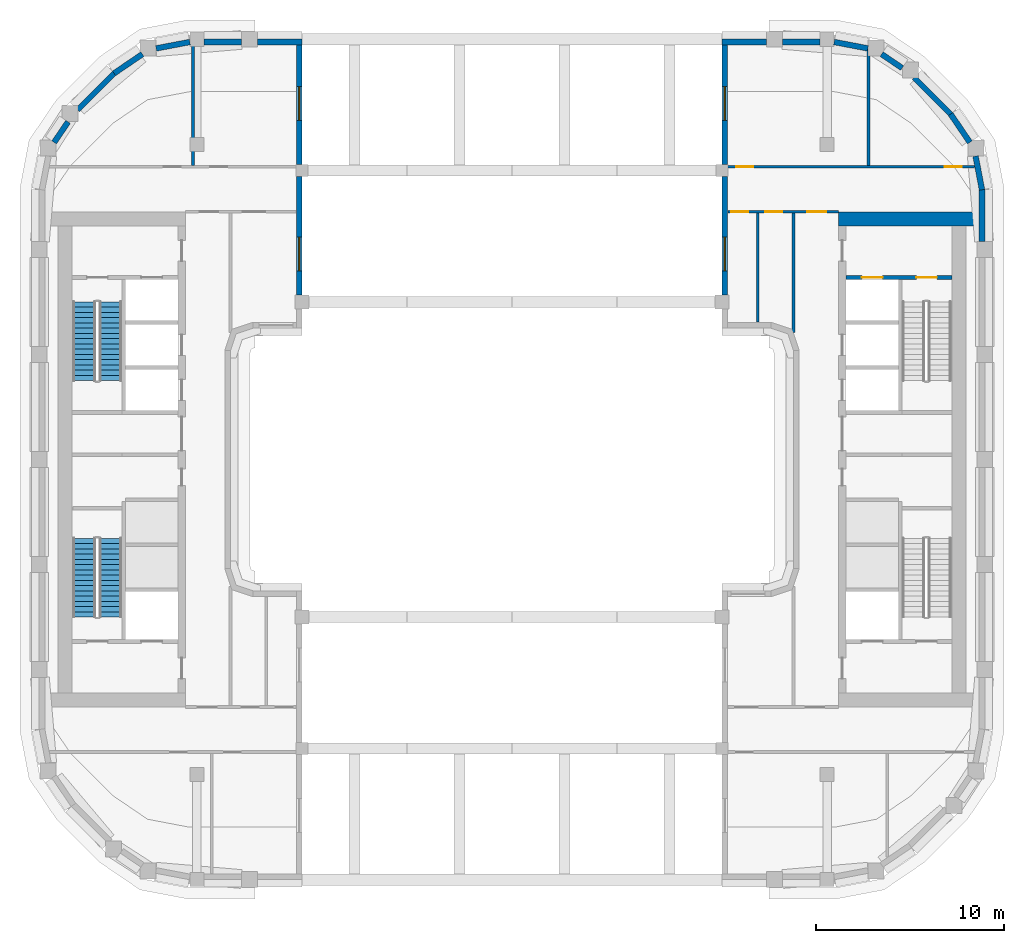
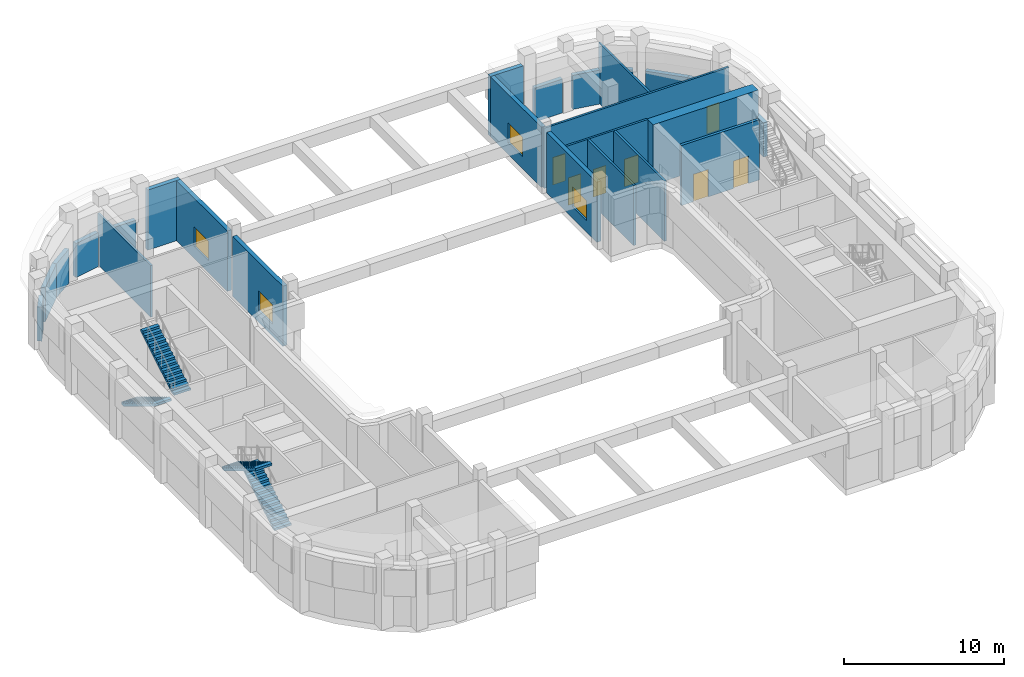
# One storey, part 5 of 13: 26 walls, 7 doors, 4 stair flights, 4 windows, 11 openings, 2 elements without a shape of their own.
"""IFC4 building model written with IfcOpenShell, lengths in metres."""

from ifc_helpers import new_model, si_unit, direction, frame, frame_2d, origin, place, context, subcontext, project, spatial, polyline, rectangle, outline, extrude, material, layer, layer_set, type_object, element, fill, aggregate, save


model = new_model("IFC4")

# Units and contexts
model_context = context("Model", 3, precision=1e-05, world=origin(), true_north=direction((0.0, 1.0)))
body_context = subcontext(model_context, "Body", "Model", "MODEL_VIEW")
ifc_project = project(units=[si_unit("LENGTHUNIT", "METRE"), si_unit("AREAUNIT", "SQUARE_METRE"), si_unit("VOLUMEUNIT", "CUBIC_METRE"), si_unit("PLANEANGLEUNIT", "RADIAN"), si_unit("MASSUNIT", "GRAM", prefix="KILO")], contexts=[model_context])

# Site, building, storey
site_placement = place(None, origin())
site = spatial("IfcSite", under=ifc_project, at=site_placement, CompositionType="ELEMENT")
building_placement = place(site_placement, origin())
building = spatial("IfcBuilding", under=site, at=building_placement, Name="Kiln Ring Residences", CompositionType="ELEMENT")
storey_placement = place(building_placement, frame((0.0, 0.0, 236.300048828125)))
storey = spatial("IfcBuildingStorey", under=building, at=storey_placement, Name="L61", CompositionType="ELEMENT", Elevation=236.300048828125)

# Wall, openings, doors
ifc_material_1 = material(Name="Concrete C40/50", Category="concrete")
ifc_layer_1 = layer(ifc_material_1, 0.199951171875)
ifc_layer_set_1 = layer_set([ifc_layer_1], Name="CORE-WALL-RC200")
wall_type_1 = type_object("IfcWallType", Name="CORE-WALL-RC200", PredefinedType="SHEAR", material=ifc_layer_set_1)
wall_1_placement = place(storey_placement, frame((17.800048828125, 9.699951171875, 0.0), z_axis=(0.0, 0.0, 1.0), x_axis=(1.0, 0.0, 0.0)))
wall_1 = element("IfcWall", 1, at=wall_1_placement, inside=storey, type_object=wall_type_1, Name="Core wall east L61 9", PredefinedType="SHEAR", context=body_context, shape_type="SweptSolid", body=[
    extrude(rectangle(XDim=5.64990234375, YDim=0.199951171875, at=frame_2d((2.824951171875, 0.0))), origin(), (0.0, 0.0, 1.0), 4.599853515625),
])
opening_1_placement = place(wall_1_placement, frame((0.85009765625, 0.0, 0.0)))
opening_1 = element("IfcOpeningElement", 2, at=opening_1_placement, cuts=wall_1, Name="Opening L61-CE05", PredefinedType="OPENING", context=body_context, shape_type="SweptSolid", body=[
    extrude(rectangle(XDim=1.10009765625, YDim=2.10009765625, at=frame_2d((0.550048828125, 1.050048828125))), frame((0.0, 0.10986328125, 0.0), z_axis=(0.0, -1.0, 0.0), x_axis=(1.0, 0.0, 0.0)), (0.0, 0.0, 1.0), 0.219970703125),
])
opening_2_placement = place(wall_1_placement, frame((3.75, 0.0, 0.0)))
opening_2 = element("IfcOpeningElement", 3, at=opening_2_placement, cuts=wall_1, Name="Opening L61-CE08", PredefinedType="OPENING", context=body_context, shape_type="SweptSolid", body=[
    extrude(rectangle(XDim=1.10009765625, YDim=2.10009765625, at=frame_2d((0.550048828125, 1.050048828125))), frame((0.0, 0.10986328125, 0.0), z_axis=(0.0, -1.0, 0.0), x_axis=(1.0, 0.0, 0.0)), (0.0, 0.0, 1.0), 0.219970703125),
])
ifc_material_2 = material(Name="Steel door leaf", Category="steel")
door_type_1 = type_object("IfcDoorType", Name="CORE-DOOR-LD", OperationType="DOUBLE_DOOR_SLIDING", PredefinedType="DOOR", material=ifc_material_2)
door_1_placement = place(opening_1_placement, origin())
door_1 = element("IfcDoor", 4, at=door_1_placement, inside=storey, type_object=door_type_1, Name="LD E-FF L61-CE05", OperationType="DOUBLE_DOOR_SLIDING", OverallHeight=2.10009765625, OverallWidth=1.10009765625, PredefinedType="DOOR", context=body_context, shape_type="SweptSolid", body=[
    extrude(rectangle(XDim=1.10009765625, YDim=2.10009765625, at=frame_2d((0.550048828125, 1.050048828125))), frame((0.0, 0.02490234375, 0.0), z_axis=(0.0, -1.0, 0.0), x_axis=(1.0, 0.0, 0.0)), (0.0, 0.0, 1.0), 0.050048828125),
])
fill(opening_1, door_1)
ifc_material_3 = material(Name="Steel door leaf", Category="steel")
door_type_2 = type_object("IfcDoorType", Name="CORE-DOOR-STAIR", OperationType="SINGLE_SWING_LEFT", PredefinedType="DOOR", material=ifc_material_3)
door_2_placement = place(opening_2_placement, origin())
door_2 = element("IfcDoor", 5, at=door_2_placement, inside=storey, type_object=door_type_2, Name="Stair E-STN L61-CE08", OperationType="SINGLE_SWING_LEFT", OverallHeight=2.10009765625, OverallWidth=1.10009765625, PredefinedType="DOOR", context=body_context, shape_type="SweptSolid", body=[
    extrude(rectangle(XDim=1.10009765625, YDim=2.10009765625, at=frame_2d((0.550048828125, 1.050048828125))), frame((0.0, 0.02490234375, 0.0), z_axis=(0.0, -1.0, 0.0), x_axis=(1.0, 0.0, 0.0)), (0.0, 0.0, 1.0), 0.050048828125),
])
fill(opening_2, door_2)

# Wall
ifc_material_4 = material(Name="Concrete C60/75", Category="concrete")
ifc_layer_2 = layer(ifc_material_4, 0.75)
ifc_layer_set_2 = layer_set([ifc_layer_2], Name="CORE-WALL-RC750")
wall_type_2 = type_object("IfcWallType", Name="CORE-WALL-RC750", PredefinedType="SHEAR", material=ifc_layer_set_2)
wall_2_placement = place(storey_placement, frame((17.39990234375, 12.824951171875, 0.0), z_axis=(0.0, 0.0, 1.0), x_axis=(1.0, 0.0, 0.0)))
element("IfcWall", 6, at=wall_2_placement, inside=storey, type_object=wall_type_2, Name="Core wall east L61 4", PredefinedType="SHEAR", context=body_context, shape_type="SweptSolid", body=[
    extrude(rectangle(XDim=7.60009765625, YDim=0.75, at=frame_2d((3.800048828125, 0.0))), origin(), (0.0, 0.0, 1.0), 4.599853515625),
])

# Wall, opening, window
ifc_material_5 = material(Name="Brick masonry, dark clay brick", Category="masonry")
ifc_layer_3 = layer(ifc_material_5, 0.300048828125)
ifc_layer_set_3 = layer_set([ifc_layer_3], Name="EW-300 BRICK WALL")
wall_type_3 = type_object("IfcWallType", Name="EW-300 BRICK WALL", PredefinedType="SOLIDWALL", material=ifc_layer_set_3)
wall_3_placement = place(storey_placement, frame((-11.35009765625, 8.77490234375, 0.0), z_axis=(0.0, 0.0, 1.0), x_axis=(0.0, 1.0, 0.0)))
wall_3 = element("IfcWall", 7, at=wall_3_placement, inside=storey, type_object=wall_type_3, Name="Facade wall L61 15", PredefinedType="SOLIDWALL", context=body_context, shape_type="SweptSolid", body=[
    extrude(rectangle(XDim=6.300048828125, YDim=0.300048828125, at=frame_2d((3.14990234375, 0.0))), origin(), (0.0, 0.0, 1.0), 4.599853515625),
])
opening_3_placement = place(wall_3_placement, frame((1.27490234375, 0.0, 0.89990234375)))
opening_3 = element("IfcOpeningElement", 8, at=opening_3_placement, cuts=wall_3, Name="Opening LV1", PredefinedType="OPENING", context=body_context, shape_type="SweptSolid", body=[
    extrude(rectangle(XDim=1.800048828125, YDim=1.5, at=frame_2d((0.89990234375, 0.75))), frame((0.0, 0.159912109375, 0.0), z_axis=(0.0, -1.0, 0.0), x_axis=(1.0, 0.0, 0.0)), (0.0, 0.0, 1.0), 0.320068359375),
])
ifc_material_6 = material(Name="Aluminium louvre", Category="aluminium")
window_type = type_object("IfcWindowType", Name="LOUVRED VENT 1800 x 1500", PartitioningType="SINGLE_PANEL", PredefinedType="WINDOW", material=ifc_material_6)
window_1_placement = place(opening_3_placement, origin())
window_1 = element("IfcWindow", 9, at=window_1_placement, inside=storey, type_object=window_type, Name="Louvred vent L61 4", OverallHeight=1.5, OverallWidth=1.800048828125, PartitioningType="SINGLE_PANEL", PredefinedType="WINDOW", context=body_context, shape_type="SweptSolid", body=[
    extrude(rectangle(XDim=1.800048828125, YDim=1.5, at=frame_2d((0.89990234375, 0.75))), frame((0.0, 0.030029296875, 0.0), z_axis=(0.0, -1.0, 0.0), x_axis=(1.0, 0.0, 0.0)), (0.0, 0.0, 1.0), 0.06005859375),
])
fill(opening_3, window_1)

wall_4_placement = place(storey_placement, frame((-11.35009765625, 15.72509765625, 0.0), z_axis=(0.0, 0.0, 1.0), x_axis=(0.0, 1.0, 0.0)))
wall_4 = element("IfcWall", 10, at=wall_4_placement, inside=storey, type_object=wall_type_3, Name="Facade wall L61 16", PredefinedType="SOLIDWALL", context=body_context, shape_type="SweptSolid", body=[
    extrude(rectangle(XDim=6.6748046875, YDim=0.300048828125, at=frame_2d((3.33740234375, 0.0))), origin(), (0.0, 0.0, 1.0), 4.599853515625),
])
opening_4_placement = place(wall_4_placement, frame((2.35498046875, 0.0, 0.89990234375)))
opening_4 = element("IfcOpeningElement", 11, at=opening_4_placement, cuts=wall_4, Name="Opening LV1", PredefinedType="OPENING", context=body_context, shape_type="SweptSolid", body=[
    extrude(rectangle(XDim=1.800048828125, YDim=1.5, at=frame_2d((0.89990234375, 0.75))), frame((0.0, 0.159912109375, 0.0), z_axis=(0.0, -1.0, 0.0), x_axis=(1.0, 0.0, 0.0)), (0.0, 0.0, 1.0), 0.320068359375),
])
window_2_placement = place(opening_4_placement, origin())
window_2 = element("IfcWindow", 12, at=window_2_placement, inside=storey, type_object=window_type, Name="Louvred vent L61 5", OverallHeight=1.5, OverallWidth=1.800048828125, PartitioningType="SINGLE_PANEL", PredefinedType="WINDOW", context=body_context, shape_type="SweptSolid", body=[
    extrude(rectangle(XDim=1.800048828125, YDim=1.5, at=frame_2d((0.89990234375, 0.75))), frame((0.0, 0.030029296875, 0.0), z_axis=(0.0, -1.0, 0.0), x_axis=(1.0, 0.0, 0.0)), (0.0, 0.0, 1.0), 0.06005859375),
])
fill(opening_4, window_2)

# Walls
wall_5_placement = place(storey_placement, frame((-11.199951171875, 22.25, 0.0), z_axis=(0.0, 0.0, 1.0), x_axis=(-1.0, 0.0, 0.0)))
element("IfcWall", 13, at=wall_5_placement, inside=storey, type_object=wall_type_3, Name="Facade wall L61 17", PredefinedType="SOLIDWALL", context=body_context, shape_type="SweptSolid", body=[
    extrude(rectangle(XDim=2.375, YDim=0.300048828125, at=frame_2d((1.1875, 0.0))), origin(), (0.0, 0.0, 1.0), 4.599853515625),
])
wall_6_placement = place(storey_placement, frame((-14.425048828125, 22.25, 0.0), z_axis=(0.0, 0.0, 1.0), x_axis=(-1.0, 0.0, 0.0)))
element("IfcWall", 14, at=wall_6_placement, inside=storey, type_object=wall_type_3, Name="Facade wall L61 18", PredefinedType="SOLIDWALL", context=body_context, shape_type="SweptSolid", body=[
    extrude(rectangle(XDim=2.0, YDim=0.300048828125, at=frame_2d((1.0, 0.0))), origin(), (0.0, 0.0, 1.0), 2.599853515625),
])
wall_7_placement = place(storey_placement, frame((-17.171875, 22.252685546875, 0.0), z_axis=(0.0, 0.0, 1.0), x_axis=(-0.982300037503, -0.187314271538, 0.0)))
element("IfcWall", 15, at=wall_7_placement, inside=storey, type_object=wall_type_3, Name="Facade wall L61 19", PredefinedType="SOLIDWALL", context=body_context, shape_type="SweptSolid", body=[
    extrude(rectangle(XDim=1.831298828125, YDim=0.300048828125, at=frame_2d((0.91552734375, 0.0))), origin(), (0.0, 0.0, 1.0), 2.599853515625),
])
wall_8_placement = place(storey_placement, frame((-19.6982421875, 21.608154296875, 0.0), z_axis=(0.0, 0.0, 1.0), x_axis=(-0.82705295608, -0.562124014644, 0.0)))
element("IfcWall", 16, at=wall_8_placement, inside=storey, type_object=wall_type_3, Name="Facade wall L61 20", PredefinedType="SOLIDWALL", context=body_context, shape_type="SweptSolid", body=[
    extrude(rectangle(XDim=1.8310546875, YDim=0.300048828125, at=frame_2d((0.91552734375, 0.0))), origin(), (0.0, 0.0, 1.0), 2.599853515625),
])
wall_9_placement = place(storey_placement, frame((-21.19091796875, 20.596923828125, 0.0), z_axis=(0.0, 0.0, 1.0), x_axis=(-0.707150767798, -0.707062791838, 0.0)))
element("IfcWall", 17, at=wall_9_placement, inside=storey, type_object=wall_type_3, Name="Facade wall L61 21", PredefinedType="SOLIDWALL", context=body_context, shape_type="SweptSolid", body=[
    extrude(rectangle(XDim=2.775146484375, YDim=0.300048828125, at=frame_2d((1.3876953125, 0.0))), origin(), (0.0, 0.0, 1.0), 2.599853515625),
])
wall_10_placement = place(storey_placement, frame((-23.662109375, 17.995849609375, 0.0), z_axis=(0.0, 0.0, 1.0), x_axis=(-0.562149004813, -0.827035970432, 0.0)))
element("IfcWall", 18, at=wall_10_placement, inside=storey, type_object=wall_type_3, Name="Facade wall L61 22", PredefinedType="SOLIDWALL", context=body_context, shape_type="SweptSolid", body=[
    extrude(rectangle(XDim=1.3271484375, YDim=0.300048828125, at=frame_2d((0.66357421875, 0.0))), origin(), (0.0, 0.0, 1.0), 2.599853515625),
])
wall_11_placement = place(storey_placement, frame((25.050048828125, 11.625, 0.0), z_axis=(0.0, 0.0, 1.0), x_axis=(0.0, 1.0, 0.0)))
element("IfcWall", 19, at=wall_11_placement, inside=storey, type_object=wall_type_3, Name="Facade wall L61 46", PredefinedType="SOLIDWALL", context=body_context, shape_type="SweptSolid", body=[
    extrude(rectangle(XDim=2.77490234375, YDim=0.300048828125, at=frame_2d((1.387451171875, 0.0))), origin(), (0.0, 0.0, 1.0), 2.599853515625),
])
for number, where, z_axis, x_axis, name in (
    (20, (25.052734375, 14.371826171875, 0.0), (0.0, 0.0, 1.0), (-0.187442908742, 0.982275499014, 0.0), "Facade wall L61 47"),
    (21, (24.408203125, 16.898193359375, 0.0), (0.0, 0.0, 1.0), (-0.562062033417, 0.827095079535, 0.0), "Facade wall L61 48"),
):
    element("IfcWall", number, at=place(storey_placement, frame(where, z_axis=z_axis, x_axis=x_axis)), inside=storey, type_object=wall_type_3, Name=name, PredefinedType="SOLIDWALL", context=body_context, shape_type="SweptSolid", body=[
        extrude(rectangle(XDim=1.831298828125, YDim=0.300048828125, at=frame_2d((0.91552734375, 0.0))), origin(), (0.0, 0.0, 1.0), 2.599853515625),
    ])
wall_12_placement = place(storey_placement, frame((23.39697265625, 18.390869140625, 0.0), z_axis=(0.0, 0.0, 1.0), x_axis=(-0.707106781187, 0.707106781187, 0.0)))
element("IfcWall", 22, at=wall_12_placement, inside=storey, type_object=wall_type_3, Name="Facade wall L61 49", PredefinedType="SOLIDWALL", context=body_context, shape_type="SweptSolid", body=[
    extrude(rectangle(XDim=2.775146484375, YDim=0.300048828125, at=frame_2d((1.3876953125, 0.0))), origin(), (0.0, 0.0, 1.0), 2.599853515625),
])
wall_13_placement = place(storey_placement, frame((20.7958984375, 20.862060546875, 0.0), z_axis=(0.0, 0.0, 1.0), x_axis=(-0.827035970432, 0.562149004813, 0.0)))
element("IfcWall", 23, at=wall_13_placement, inside=storey, type_object=wall_type_3, Name="Facade wall L61 50", PredefinedType="SOLIDWALL", context=body_context, shape_type="SweptSolid", body=[
    extrude(rectangle(XDim=1.3271484375, YDim=0.300048828125, at=frame_2d((0.66357421875, 0.0))), origin(), (0.0, 0.0, 1.0), 2.599853515625),
])
wall_14_placement = place(storey_placement, frame((18.970703125, 21.90966796875, 0.0), z_axis=(0.0, 0.0, 1.0), x_axis=(-0.982300037503, 0.187314271538, 0.0)))
element("IfcWall", 24, at=wall_14_placement, inside=storey, type_object=wall_type_3, Name="Facade wall L61 51", PredefinedType="SOLIDWALL", context=body_context, shape_type="SweptSolid", body=[
    extrude(rectangle(XDim=1.831298828125, YDim=0.300048828125, at=frame_2d((0.91552734375, 0.0))), origin(), (0.0, 0.0, 1.0), 2.599853515625),
])
wall_15_placement = place(storey_placement, frame((16.425048828125, 22.25, 0.0), z_axis=(0.0, 0.0, 1.0), x_axis=(-1.0, 0.0, 0.0)))
element("IfcWall", 25, at=wall_15_placement, inside=storey, type_object=wall_type_3, Name="Facade wall L61 52", PredefinedType="SOLIDWALL", context=body_context, shape_type="SweptSolid", body=[
    extrude(rectangle(XDim=2.0, YDim=0.300048828125, at=frame_2d((1.0, 0.0))), origin(), (0.0, 0.0, 1.0), 2.599853515625),
])
wall_16_placement = place(storey_placement, frame((13.574951171875, 22.25, 0.0), z_axis=(0.0, 0.0, 1.0), x_axis=(-1.0, 0.0, 0.0)))
element("IfcWall", 26, at=wall_16_placement, inside=storey, type_object=wall_type_3, Name="Facade wall L61 53", PredefinedType="SOLIDWALL", context=body_context, shape_type="SweptSolid", body=[
    extrude(rectangle(XDim=2.375, YDim=0.300048828125, at=frame_2d((1.1875, 0.0))), origin(), (0.0, 0.0, 1.0), 4.599853515625),
])

# Wall, opening, window
wall_17_placement = place(storey_placement, frame((11.35009765625, 22.39990234375, 0.0), z_axis=(0.0, 0.0, 1.0), x_axis=(0.0, -1.0, 0.0)))
wall_17 = element("IfcWall", 27, at=wall_17_placement, inside=storey, type_object=wall_type_3, Name="Facade wall L61 54", PredefinedType="SOLIDWALL", context=body_context, shape_type="SweptSolid", body=[
    extrude(rectangle(XDim=6.6748046875, YDim=0.300048828125, at=frame_2d((3.33740234375, 0.0))), origin(), (0.0, 0.0, 1.0), 4.599853515625),
])
opening_5_placement = place(wall_17_placement, frame((2.52001953125, 0.0, 0.89990234375)))
opening_5 = element("IfcOpeningElement", 28, at=opening_5_placement, cuts=wall_17, Name="Opening LV1", PredefinedType="OPENING", context=body_context, shape_type="SweptSolid", body=[
    extrude(rectangle(XDim=1.800048828125, YDim=1.5, at=frame_2d((0.89990234375, 0.75))), frame((0.0, 0.159912109375, 0.0), z_axis=(0.0, -1.0, 0.0), x_axis=(1.0, 0.0, 0.0)), (0.0, 0.0, 1.0), 0.320068359375),
])
window_3_placement = place(opening_5_placement, origin())
window_3 = element("IfcWindow", 29, at=window_3_placement, inside=storey, type_object=window_type, Name="Louvred vent L61 9", OverallHeight=1.5, OverallWidth=1.800048828125, PartitioningType="SINGLE_PANEL", PredefinedType="WINDOW", context=body_context, shape_type="SweptSolid", body=[
    extrude(rectangle(XDim=1.800048828125, YDim=1.5, at=frame_2d((0.89990234375, 0.75))), frame((0.0, 0.030029296875, 0.0), z_axis=(0.0, -1.0, 0.0), x_axis=(1.0, 0.0, 0.0)), (0.0, 0.0, 1.0), 0.06005859375),
])
fill(opening_5, window_3)

wall_18_placement = place(storey_placement, frame((11.35009765625, 15.074951171875, 0.0), z_axis=(0.0, 0.0, 1.0), x_axis=(0.0, -1.0, 0.0)))
wall_18 = element("IfcWall", 30, at=wall_18_placement, inside=storey, type_object=wall_type_3, Name="Facade wall L61 55", PredefinedType="SOLIDWALL", context=body_context, shape_type="SweptSolid", body=[
    extrude(rectangle(XDim=6.300048828125, YDim=0.300048828125, at=frame_2d((3.14990234375, 0.0))), origin(), (0.0, 0.0, 1.0), 4.599853515625),
])
opening_6_placement = place(wall_18_placement, frame((3.22509765625, 0.0, 0.89990234375)))
opening_6 = element("IfcOpeningElement", 31, at=opening_6_placement, cuts=wall_18, Name="Opening LV1", PredefinedType="OPENING", context=body_context, shape_type="SweptSolid", body=[
    extrude(rectangle(XDim=1.800048828125, YDim=1.5, at=frame_2d((0.89990234375, 0.75))), frame((0.0, 0.159912109375, 0.0), z_axis=(0.0, -1.0, 0.0), x_axis=(1.0, 0.0, 0.0)), (0.0, 0.0, 1.0), 0.320068359375),
])
window_4_placement = place(opening_6_placement, origin())
window_4 = element("IfcWindow", 32, at=window_4_placement, inside=storey, type_object=window_type, Name="Louvred vent L61 10", OverallHeight=1.5, OverallWidth=1.800048828125, PartitioningType="SINGLE_PANEL", PredefinedType="WINDOW", context=body_context, shape_type="SweptSolid", body=[
    extrude(rectangle(XDim=1.800048828125, YDim=1.5, at=frame_2d((0.89990234375, 0.75))), frame((0.0, 0.030029296875, 0.0), z_axis=(0.0, -1.0, 0.0), x_axis=(1.0, 0.0, 0.0)), (0.0, 0.0, 1.0), 0.06005859375),
])
fill(opening_6, window_4)

# Wall, openings, doors
ifc_material_7 = material(Name="Brick masonry partition", Category="masonry")
ifc_layer_4 = layer(ifc_material_7, 0.14990234375)
ifc_layer_set_4 = layer_set([ifc_layer_4], Name="PARTITION-150-ei60")
wall_type_4 = type_object("IfcWallType", Name="PARTITION-150-ei60", PredefinedType="PARTITIONING", material=ifc_layer_set_4)
wall_19_placement = place(storey_placement, frame((11.52001953125, 13.199951171875, 0.0), z_axis=(0.0, 0.0, 1.0), x_axis=(1.0, 0.0, 0.0)))
wall_19 = element("IfcWall", 33, at=wall_19_placement, inside=storey, type_object=wall_type_4, Name="Partition 005", PredefinedType="PARTITIONING", context=body_context, shape_type="SweptSolid", body=[
    extrude(rectangle(XDim=5.8798828125, YDim=0.14990234375, at=frame_2d((2.93994140625, 0.0))), origin(), (0.0, 0.0, 1.0), 4.599853515625),
])
opening_7_placement = place(wall_19_placement, frame((4.22998046875, 0.0, 0.0)))
opening_7 = element("IfcOpeningElement", 34, at=opening_7_placement, cuts=wall_19, Name="Opening L61-D001", PredefinedType="OPENING", context=body_context, shape_type="SweptSolid", body=[
    extrude(rectangle(XDim=1.0, YDim=2.10009765625, at=frame_2d((0.5, 1.050048828125))), frame((0.0, 0.0849609375, 0.0), z_axis=(0.0, -1.0, 0.0), x_axis=(1.0, 0.0, 0.0)), (0.0, 0.0, 1.0), 0.169921875),
])
opening_8_placement = place(wall_19_placement, frame((0.169921875, 0.0, 0.0)))
opening_8 = element("IfcOpeningElement", 35, at=opening_8_placement, cuts=wall_19, Name="Opening L61-D002", PredefinedType="OPENING", context=body_context, shape_type="SweptSolid", body=[
    extrude(rectangle(XDim=0.89990234375, YDim=2.10009765625, at=frame_2d((0.449951171875, 1.050048828125))), frame((0.0, 0.0849609375, 0.0), z_axis=(0.0, -1.0, 0.0), x_axis=(1.0, 0.0, 0.0)), (0.0, 0.0, 1.0), 0.169921875),
])
opening_9_placement = place(wall_19_placement, frame((1.97998046875, 0.0, 0.0)))
opening_9 = element("IfcOpeningElement", 36, at=opening_9_placement, cuts=wall_19, Name="Opening L61-D003", PredefinedType="OPENING", context=body_context, shape_type="SweptSolid", body=[
    extrude(rectangle(XDim=0.89990234375, YDim=2.10009765625, at=frame_2d((0.449951171875, 1.050048828125))), frame((0.0, 0.0849609375, 0.0), z_axis=(0.0, -1.0, 0.0), x_axis=(1.0, 0.0, 0.0)), (0.0, 0.0, 1.0), 0.169921875),
])
ifc_material_8 = material(Name="Steel faced fire door leaf", Category="steel")
door_type_3 = type_object("IfcDoorType", Name="FLAT-DOOR-1000-FR", OperationType="SINGLE_SWING_LEFT", PredefinedType="DOOR", material=ifc_material_8)
door_3_placement = place(opening_7_placement, origin())
door_3 = element("IfcDoor", 37, at=door_3_placement, inside=storey, type_object=door_type_3, Name="Door L61-D001", OperationType="SINGLE_SWING_RIGHT", OverallHeight=2.10009765625, OverallWidth=1.0, PredefinedType="DOOR", context=body_context, shape_type="SweptSolid", body=[
    extrude(rectangle(XDim=1.0, YDim=2.10009765625, at=frame_2d((0.5, 1.050048828125))), frame((0.0, 0.02490234375, 0.0), z_axis=(0.0, -1.0, 0.0), x_axis=(1.0, 0.0, 0.0)), (0.0, 0.0, 1.0), 0.050048828125),
])
fill(opening_7, door_3)
ifc_material_9 = material(Name="Steel faced fire door leaf", Category="steel")
door_type_4 = type_object("IfcDoorType", Name="FLAT-DOOR-900-FR", OperationType="SINGLE_SWING_LEFT", PredefinedType="DOOR", material=ifc_material_9)
door_4_placement = place(opening_8_placement, origin())
door_4 = element("IfcDoor", 38, at=door_4_placement, inside=storey, type_object=door_type_4, Name="Door L61-D002", OperationType="SINGLE_SWING_RIGHT", OverallHeight=2.10009765625, OverallWidth=0.89990234375, PredefinedType="DOOR", context=body_context, shape_type="SweptSolid", body=[
    extrude(rectangle(XDim=0.89990234375, YDim=2.10009765625, at=frame_2d((0.449951171875, 1.050048828125))), frame((0.0, 0.02490234375, 0.0), z_axis=(0.0, -1.0, 0.0), x_axis=(1.0, 0.0, 0.0)), (0.0, 0.0, 1.0), 0.050048828125),
])
fill(opening_8, door_4)
door_5_placement = place(opening_9_placement, origin())
door_5 = element("IfcDoor", 39, at=door_5_placement, inside=storey, type_object=door_type_4, Name="Door L61-D003", OperationType="SINGLE_SWING_LEFT", OverallHeight=2.10009765625, OverallWidth=0.89990234375, PredefinedType="DOOR", context=body_context, shape_type="SweptSolid", body=[
    extrude(rectangle(XDim=0.89990234375, YDim=2.10009765625, at=frame_2d((0.449951171875, 1.050048828125))), frame((0.0, 0.02490234375, 0.0), z_axis=(0.0, -1.0, 0.0), x_axis=(1.0, 0.0, 0.0)), (0.0, 0.0, 1.0), 0.050048828125),
])
fill(opening_9, door_5)

wall_20_placement = place(storey_placement, frame((11.2900390625, 15.60009765625, 0.0), z_axis=(0.0, 0.0, 1.0), x_axis=(1.0, 0.0, 0.0)))
wall_20 = element("IfcWall", 40, at=wall_20_placement, inside=storey, type_object=wall_type_4, Name="Partition 007", PredefinedType="PARTITIONING", context=body_context, shape_type="SweptSolid", body=[
    extrude(rectangle(XDim=13.355712890625, YDim=0.14990234375, at=frame_2d((6.677734375, 0.0))), origin(), (0.0, 0.0, 1.0), 4.599853515625),
])
opening_10_placement = place(wall_20_placement, frame((0.659912109375, 0.0, 0.0)))
opening_10 = element("IfcOpeningElement", 41, at=opening_10_placement, cuts=wall_20, Name="Opening L61-D004", PredefinedType="OPENING", context=body_context, shape_type="SweptSolid", body=[
    extrude(rectangle(XDim=0.89990234375, YDim=2.10009765625, at=frame_2d((0.449951171875, 1.050048828125))), frame((0.0, 0.0849609375, 0.0), z_axis=(0.0, -1.0, 0.0), x_axis=(1.0, 0.0, 0.0)), (0.0, 0.0, 1.0), 0.169921875),
])
opening_11_placement = place(wall_20_placement, frame((11.7890625, 0.0, 0.0)))
opening_11 = element("IfcOpeningElement", 42, at=opening_11_placement, cuts=wall_20, Name="Opening L61-D005", PredefinedType="OPENING", context=body_context, shape_type="SweptSolid", body=[
    extrude(rectangle(XDim=0.89990234375, YDim=2.10009765625, at=frame_2d((0.449951171875, 1.050048828125))), frame((0.0, 0.0849609375, 0.0), z_axis=(0.0, -1.0, 0.0), x_axis=(1.0, 0.0, 0.0)), (0.0, 0.0, 1.0), 0.169921875),
])
door_6_placement = place(opening_10_placement, origin())
door_6 = element("IfcDoor", 43, at=door_6_placement, inside=storey, type_object=door_type_4, Name="Door L61-D004", OperationType="SINGLE_SWING_RIGHT", OverallHeight=2.10009765625, OverallWidth=0.89990234375, PredefinedType="DOOR", context=body_context, shape_type="SweptSolid", body=[
    extrude(rectangle(XDim=0.89990234375, YDim=2.10009765625, at=frame_2d((0.449951171875, 1.050048828125))), frame((0.0, 0.02490234375, 0.0), z_axis=(0.0, -1.0, 0.0), x_axis=(1.0, 0.0, 0.0)), (0.0, 0.0, 1.0), 0.050048828125),
])
fill(opening_10, door_6)
door_7_placement = place(opening_11_placement, origin())
door_7 = element("IfcDoor", 44, at=door_7_placement, inside=storey, type_object=door_type_4, Name="Door L61-D005", OperationType="SINGLE_SWING_LEFT", OverallHeight=2.10009765625, OverallWidth=0.89990234375, PredefinedType="DOOR", context=body_context, shape_type="SweptSolid", body=[
    extrude(rectangle(XDim=0.89990234375, YDim=2.10009765625, at=frame_2d((0.449951171875, 1.050048828125))), frame((0.0, 0.02490234375, 0.0), z_axis=(0.0, -1.0, 0.0), x_axis=(1.0, 0.0, 0.0)), (0.0, 0.0, 1.0), 0.050048828125),
])
fill(opening_11, door_7)

# Walls
wall_21_placement = place(storey_placement, frame((-17.0, 15.675048828125, 0.0), z_axis=(0.0, 0.0, 1.0), x_axis=(0.0, 1.0, 0.0)))
element("IfcWall", 45, at=wall_21_placement, inside=storey, type_object=wall_type_4, Name="Partition 008", PredefinedType="PARTITIONING", context=body_context, shape_type="SweptSolid", body=[
    extrude(rectangle(XDim=6.635009765625, YDim=0.14990234375, at=frame_2d((3.3173828125, 0.0))), origin(), (0.0, 0.0, 1.0), 3.949951171875),
])
wall_22_placement = place(storey_placement, frame((13.10009765625, 7.320068359375, 0.0), z_axis=(0.0, 0.0, 1.0), x_axis=(0.0, 1.0, 0.0)))
element("IfcWall", 46, at=wall_22_placement, inside=storey, type_object=wall_type_4, Name="Partition 013", PredefinedType="PARTITIONING", context=body_context, shape_type="SweptSolid", body=[
    extrude(rectangle(XDim=5.804931640625, YDim=0.14990234375, at=frame_2d((2.90234375, 0.0))), origin(), (0.0, 0.0, 1.0), 4.599853515625),
])
wall_23_placement = place(storey_placement, frame((15.0, 6.768798828125, 0.0), z_axis=(0.0, 0.0, 1.0), x_axis=(0.0, 1.0, 0.0)))
element("IfcWall", 47, at=wall_23_placement, inside=storey, type_object=wall_type_4, Name="Partition 015", PredefinedType="PARTITIONING", context=body_context, shape_type="SweptSolid", body=[
    extrude(rectangle(XDim=6.356201171875, YDim=0.14990234375, at=frame_2d((3.17822265625, 0.0))), origin(), (0.0, 0.0, 1.0), 4.599853515625),
])
wall_24_placement = place(storey_placement, frame((19.0, 15.675048828125, 0.0), z_axis=(0.0, 0.0, 1.0), x_axis=(0.0, 1.0, 0.0)))
element("IfcWall", 48, at=wall_24_placement, inside=storey, type_object=wall_type_4, Name="Partition 016", PredefinedType="PARTITIONING", context=body_context, shape_type="SweptSolid", body=[
    extrude(rectangle(XDim=6.284912109375, YDim=0.14990234375, at=frame_2d((3.142578125, 0.0))), origin(), (0.0, 0.0, 1.0), 4.599853515625),
])

# Stair, stair flights
ifc_material_10 = material(Name="Concrete C40/50", Category="concrete")
stair_type = type_object("IfcStairType", Name="CORE-STAIR", PredefinedType="HALF_TURN_STAIR", material=ifc_material_10)
placement = place(storey_placement, origin())
stair_1 = element("IfcStair", 49, at=placement, inside=storey, type_object=stair_type, Name="L61 stair W-STN", PredefinedType="HALF_TURN_STAIR")
ifc_material_11 = material(Name="Concrete C40/50", Category="concrete")
stair_flight_type = type_object("IfcStairFlightType", Name="CORE-STAIR-FLIGHT", PredefinedType="STRAIGHT", material=ifc_material_11)
stair_flight_1_placement = place(storey_placement, frame((-22.800048828125, 8.39990234375, 0.0), z_axis=(0.0, 0.0, 1.0), x_axis=(0.0, -1.0, 0.0)))
stair_flight_1 = element("IfcStairFlight", 50, at=stair_flight_1_placement, type_object=stair_flight_type, Name="W-STN flight 1", NumberOfRisers=16, NumberOfTreads=15, PredefinedType="STRAIGHT", RiserHeight=0.16875, TreadLength=0.28, context=body_context, shape_type="SweptSolid", body=[
    extrude(outline(polyline([(0.0, 0.0), (0.0, 0.168701171875), (0.280029296875, 0.168701171875), (0.280029296875, 0.33740234375), (0.56005859375, 0.33740234375), (0.56005859375, 0.50634765625), (0.840087890625, 0.50634765625), (0.840087890625, 0.675048828125), (1.1201171875, 0.675048828125), (1.1201171875, 0.84375), (1.39990234375, 0.84375), (1.39990234375, 1.012451171875), (1.679931640625, 1.012451171875), (1.679931640625, 1.18115234375), (1.9599609375, 1.18115234375), (1.9599609375, 1.35009765625), (2.239990234375, 1.35009765625), (2.239990234375, 1.518798828125), (2.52001953125, 1.518798828125), (2.52001953125, 1.6875), (2.800048828125, 1.6875), (2.800048828125, 1.856201171875), (3.080078125, 1.856201171875), (3.080078125, 2.02490234375), (3.360107421875, 2.02490234375), (3.360107421875, 2.19384765625), (3.639892578125, 2.19384765625), (3.639892578125, 2.362548828125), (3.919921875, 2.362548828125), (3.919921875, 2.53125), (4.199951171875, 2.53125), (4.199951171875, 2.699951171875), (4.199951171875, 2.356201171875), (0.29052734375, 0.0), (0.0, 0.0)])), frame((0.0, 0.60009765625, 0.0), z_axis=(0.0, -1.0, 0.0), x_axis=(1.0, 0.0, 0.0)), (0.0, 0.0, 1.0), 1.199951171875),
])
stair_flight_2_placement = place(storey_placement, frame((-21.39990234375, 4.199951171875, 2.699951171875), z_axis=(0.0, 0.0, 1.0), x_axis=(0.0, 1.0, 0.0)))
stair_flight_2 = element("IfcStairFlight", 51, at=stair_flight_2_placement, type_object=stair_flight_type, Name="W-STN flight 2", NumberOfRisers=16, NumberOfTreads=15, PredefinedType="STRAIGHT", RiserHeight=0.16875, TreadLength=0.28, context=body_context, shape_type="SweptSolid", body=[
    extrude(outline(polyline([(0.0, 0.0), (0.0, 0.168701171875), (0.280029296875, 0.168701171875), (0.280029296875, 0.33740234375), (0.56005859375, 0.33740234375), (0.56005859375, 0.50634765625), (0.840087890625, 0.50634765625), (0.840087890625, 0.675048828125), (1.1201171875, 0.675048828125), (1.1201171875, 0.84375), (1.39990234375, 0.84375), (1.39990234375, 1.012451171875), (1.679931640625, 1.012451171875), (1.679931640625, 1.18115234375), (1.9599609375, 1.18115234375), (1.9599609375, 1.35009765625), (2.239990234375, 1.35009765625), (2.239990234375, 1.518798828125), (2.52001953125, 1.518798828125), (2.52001953125, 1.6875), (2.800048828125, 1.6875), (2.800048828125, 1.856201171875), (3.080078125, 1.856201171875), (3.080078125, 2.02490234375), (3.360107421875, 2.02490234375), (3.360107421875, 2.19384765625), (3.639892578125, 2.19384765625), (3.639892578125, 2.362548828125), (3.919921875, 2.362548828125), (3.919921875, 2.53125), (4.199951171875, 2.53125), (4.199951171875, 2.699951171875), (4.199951171875, 2.356201171875), (0.29052734375, 0.0), (0.0, 0.0)])), frame((0.0, 0.60009765625, 0.0), z_axis=(0.0, -1.0, 0.0), x_axis=(1.0, 0.0, 0.0)), (0.0, 0.0, 1.0), 1.199951171875),
])
aggregate(stair_1, [stair_flight_1, stair_flight_2])

stair_2 = element("IfcStair", 52, at=placement, inside=storey, type_object=stair_type, Name="L61 stair W-STS", PredefinedType="HALF_TURN_STAIR")
stair_flight_3_placement = place(storey_placement, frame((-21.39990234375, -8.39990234375, 0.0), z_axis=(0.0, 0.0, 1.0), x_axis=(0.0, 1.0, 0.0)))
stair_flight_3 = element("IfcStairFlight", 53, at=stair_flight_3_placement, type_object=stair_flight_type, Name="W-STS flight 1", NumberOfRisers=16, NumberOfTreads=15, PredefinedType="STRAIGHT", RiserHeight=0.16875, TreadLength=0.28, context=body_context, shape_type="SweptSolid", body=[
    extrude(outline(polyline([(0.0, 0.0), (0.0, 0.168701171875), (0.280029296875, 0.168701171875), (0.280029296875, 0.33740234375), (0.56005859375, 0.33740234375), (0.56005859375, 0.50634765625), (0.840087890625, 0.50634765625), (0.840087890625, 0.675048828125), (1.1201171875, 0.675048828125), (1.1201171875, 0.84375), (1.39990234375, 0.84375), (1.39990234375, 1.012451171875), (1.679931640625, 1.012451171875), (1.679931640625, 1.18115234375), (1.9599609375, 1.18115234375), (1.9599609375, 1.35009765625), (2.239990234375, 1.35009765625), (2.239990234375, 1.518798828125), (2.52001953125, 1.518798828125), (2.52001953125, 1.6875), (2.800048828125, 1.6875), (2.800048828125, 1.856201171875), (3.080078125, 1.856201171875), (3.080078125, 2.02490234375), (3.360107421875, 2.02490234375), (3.360107421875, 2.19384765625), (3.639892578125, 2.19384765625), (3.639892578125, 2.362548828125), (3.919921875, 2.362548828125), (3.919921875, 2.53125), (4.199951171875, 2.53125), (4.199951171875, 2.699951171875), (4.199951171875, 2.356201171875), (0.29052734375, 0.0), (0.0, 0.0)])), frame((0.0, 0.60009765625, 0.0), z_axis=(0.0, -1.0, 0.0), x_axis=(1.0, 0.0, 0.0)), (0.0, 0.0, 1.0), 1.199951171875),
])
stair_flight_4_placement = place(storey_placement, frame((-22.800048828125, -4.199951171875, 2.699951171875), z_axis=(0.0, 0.0, 1.0), x_axis=(0.0, -1.0, 0.0)))
stair_flight_4 = element("IfcStairFlight", 54, at=stair_flight_4_placement, type_object=stair_flight_type, Name="W-STS flight 2", NumberOfRisers=16, NumberOfTreads=15, PredefinedType="STRAIGHT", RiserHeight=0.16875, TreadLength=0.28, context=body_context, shape_type="SweptSolid", body=[
    extrude(outline(polyline([(0.0, 0.0), (0.0, 0.168701171875), (0.280029296875, 0.168701171875), (0.280029296875, 0.33740234375), (0.56005859375, 0.33740234375), (0.56005859375, 0.50634765625), (0.840087890625, 0.50634765625), (0.840087890625, 0.675048828125), (1.1201171875, 0.675048828125), (1.1201171875, 0.84375), (1.39990234375, 0.84375), (1.39990234375, 1.012451171875), (1.679931640625, 1.012451171875), (1.679931640625, 1.18115234375), (1.9599609375, 1.18115234375), (1.9599609375, 1.35009765625), (2.239990234375, 1.35009765625), (2.239990234375, 1.518798828125), (2.52001953125, 1.518798828125), (2.52001953125, 1.6875), (2.800048828125, 1.6875), (2.800048828125, 1.856201171875), (3.080078125, 1.856201171875), (3.080078125, 2.02490234375), (3.360107421875, 2.02490234375), (3.360107421875, 2.19384765625), (3.639892578125, 2.19384765625), (3.639892578125, 2.362548828125), (3.919921875, 2.362548828125), (3.919921875, 2.53125), (4.199951171875, 2.53125), (4.199951171875, 2.699951171875), (4.199951171875, 2.356201171875), (0.29052734375, 0.0), (0.0, 0.0)])), frame((0.0, 0.60009765625, 0.0), z_axis=(0.0, -1.0, 0.0), x_axis=(1.0, 0.0, 0.0)), (0.0, 0.0, 1.0), 1.199951171875),
])
aggregate(stair_2, [stair_flight_3, stair_flight_4])

save(model, "model.ifc")
